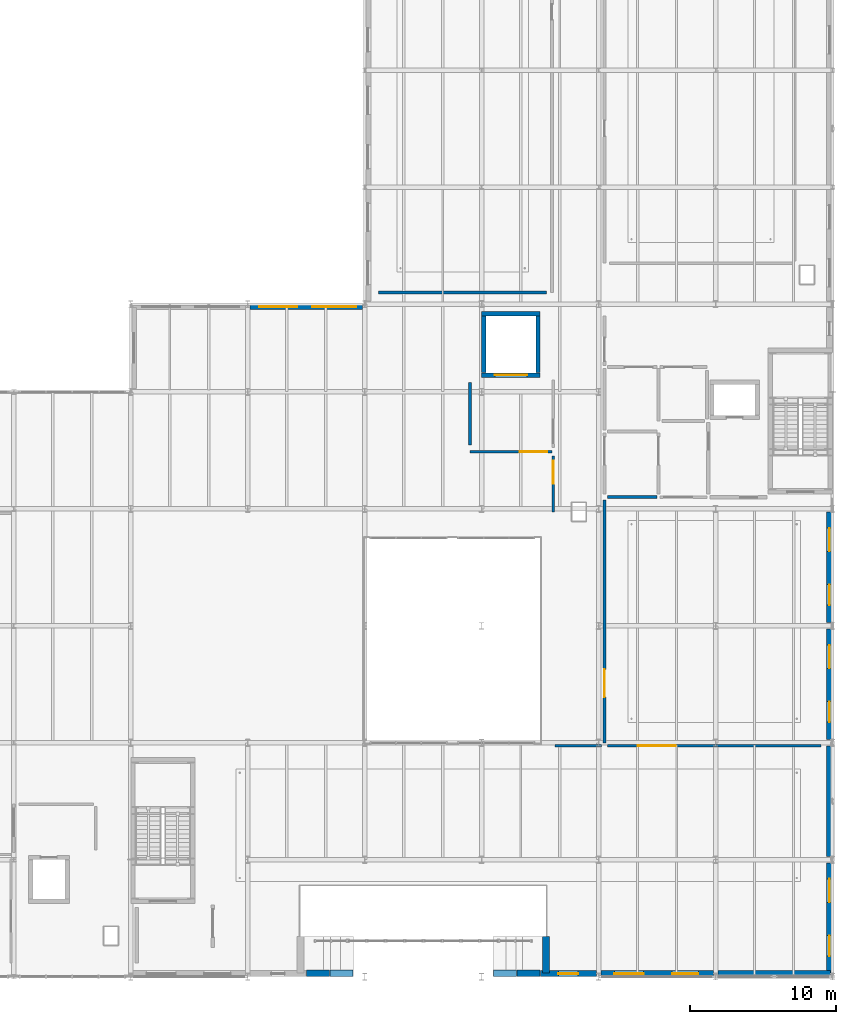
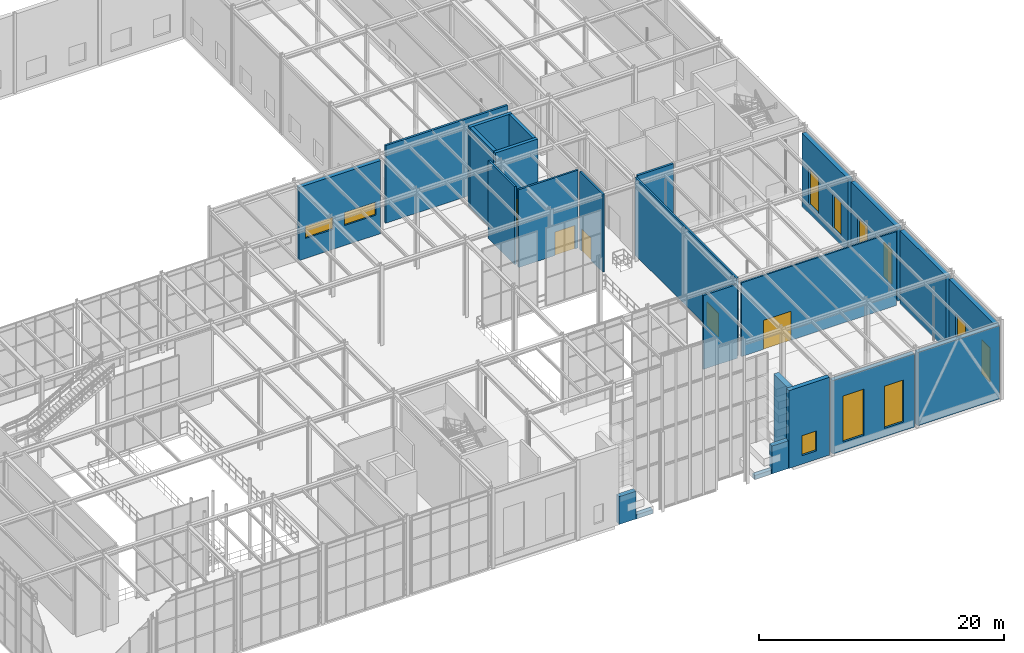
# One storey, part 96 of 138: 25 walls, 11 windows, 5 doors, 16 openings.
"""IFC4 building model written with IfcOpenShell, lengths in metres."""

from ifc_helpers import new_model, si_unit, direction, frame, frame_2d, origin, place, context, subcontext, project, spatial, rectangle, extrude, material, layer, layer_set, type_object, element, fill, save


model = new_model("IFC4")

# Units and contexts
model_context = context("Model", 3, precision=1e-05, world=origin(), true_north=direction((0.0, 1.0)))
body_context = subcontext(model_context, "Body", "Model", "MODEL_VIEW")
ifc_project = project(units=[si_unit("LENGTHUNIT", "METRE"), si_unit("AREAUNIT", "SQUARE_METRE"), si_unit("VOLUMEUNIT", "CUBIC_METRE"), si_unit("PLANEANGLEUNIT", "RADIAN"), si_unit("MASSUNIT", "GRAM", prefix="KILO")], contexts=[model_context])

# Site, building, storey
site_placement = place(None, origin())
site = spatial("IfcSite", under=ifc_project, at=site_placement, CompositionType="ELEMENT")
building_placement = place(site_placement, origin())
building = spatial("IfcBuilding", under=site, at=building_placement, Name="Sundkrona Museum", CompositionType="ELEMENT")
storey_placement = place(building_placement, frame((0.0, 0.0, 9.60009765625)))
storey = spatial("IfcBuildingStorey", under=building, at=storey_placement, Name="L02", CompositionType="ELEMENT", Elevation=9.60009765625)

# Wall, opening, door
ifc_material_1 = material(Name="Concrete C40/50", Category="concrete")
ifc_layer_1 = layer(ifc_material_1, 0.300048828125)
ifc_layer_set_1 = layer_set([ifc_layer_1], Name="Concrete C40/50")
wall_type_1 = type_object("IfcWallType", Name="W-CORE-300", PredefinedType="SHEAR", material=ifc_layer_set_1)
wall_1_placement = place(storey_placement, frame((144.0, 41.14990234375, 0.0), z_axis=(0.0, 0.0, 1.0), x_axis=(1.0, 0.0, 0.0)))
wall_1 = element("IfcWall", 1, at=wall_1_placement, inside=storey, type_object=wall_type_1, Name="L02 GL-1 Lift Shaft Wall South", PredefinedType="SHEAR", context=body_context, shape_type="SweptSolid", body=[
    extrude(rectangle(XDim=4.0, YDim=0.300048828125, at=frame_2d((2.0, 0.0))), origin(), (0.0, 0.0, 1.0), 8.0),
])
opening_1_placement = place(wall_1_placement, frame((0.89990234375, 0.0, 0.0)))
opening_1 = element("IfcOpeningElement", 2, at=opening_1_placement, cuts=wall_1, Name="Opening LD-GL", PredefinedType="OPENING", context=body_context, shape_type="SweptSolid", body=[
    extrude(rectangle(XDim=2.199951171875, YDim=2.699951171875, at=frame_2d((1.10009765625, 1.35009765625))), frame((0.0, 0.159912109375, 0.0), z_axis=(0.0, -1.0, 0.0), x_axis=(1.0, 0.0, 0.0)), (0.0, 0.0, 1.0), 0.320068359375),
])
ifc_material_2 = material(Name="Heavy Stainless Steel Goods Lift Door", Category="steel")
door_type_1 = type_object("IfcDoorType", Name="LD-GL", OperationType="DOUBLE_DOOR_SLIDING", PredefinedType="DOOR", material=ifc_material_2)
door_1_placement = place(opening_1_placement, origin())
door_1 = element("IfcDoor", 3, at=door_1_placement, inside=storey, type_object=door_type_1, Name="L02 Goods Lift Landing Door DR-LIFT-GL-1-L02", OperationType="DOUBLE_DOOR_SLIDING", OverallHeight=2.699951171875, OverallWidth=2.199951171875, PredefinedType="DOOR", context=body_context, shape_type="SweptSolid", body=[
    extrude(rectangle(XDim=2.199951171875, YDim=2.699951171875, at=frame_2d((1.10009765625, 1.35009765625))), frame((0.0, 0.02490234375, 0.0), z_axis=(0.0, -1.0, 0.0), x_axis=(1.0, 0.0, 0.0)), (0.0, 0.0, 1.0), 0.050048828125),
])
fill(opening_1, door_1)

# Walls
wall_2_placement = place(storey_placement, frame((144.0, 45.35009765625, 0.0), z_axis=(0.0, 0.0, 1.0), x_axis=(1.0, 0.0, 0.0)))
element("IfcWall", 4, at=wall_2_placement, inside=storey, type_object=wall_type_1, Name="L02 GL-1 Lift Shaft Wall North", PredefinedType="SHEAR", context=body_context, shape_type="SweptSolid", body=[
    extrude(rectangle(XDim=4.0, YDim=0.300048828125, at=frame_2d((2.0, 0.0))), origin(), (0.0, 0.0, 1.0), 8.0),
])
for number, where, z_axis, x_axis, name in (
    (5, (144.14990234375, 41.31005859375, 0.0), (0.0, 0.0, 1.0), (0.0, 1.0, 0.0), "L02 GL-1 Lift Shaft Wall West"),
    (6, (147.85009765625, 41.31005859375, 0.0), (0.0, 0.0, 1.0), (0.0, 1.0, 0.0), "L02 GL-1 Lift Shaft Wall East"),
):
    element("IfcWall", number, at=place(storey_placement, frame(where, z_axis=z_axis, x_axis=x_axis)), inside=storey, type_object=wall_type_1, Name=name, PredefinedType="SHEAR", context=body_context, shape_type="SweptSolid", body=[
        extrude(rectangle(XDim=3.8798828125, YDim=0.300048828125, at=frame_2d((1.93994140625, 0.0))), origin(), (0.0, 0.0, 1.0), 8.0),
    ])
ifc_material_3 = material(Name="Scanian Polychrome Clay Brickwork 420 mm", Category="masonry")
ifc_layer_2 = layer(ifc_material_3, 0.419921875)
ifc_layer_set_2 = layer_set([ifc_layer_2], Name="Scanian Polychrome Clay Brickwork 420 mm")
wall_type_2 = type_object("IfcWallType", Name="W-EX-420", PredefinedType="SOLIDWALL", material=ifc_layer_set_2)
wall_3_placement = place(storey_placement, frame((133.590087890625, 0.239990234375, 0.0), z_axis=(0.0, 0.0, 1.0), x_axis=(-1.0, 0.0, 0.0)))
element("IfcWall", 7, at=wall_3_placement, inside=storey, type_object=wall_type_2, Name="South Cube Oculus Mid-Lower Spandrel 01", PredefinedType="SOLIDWALL", context=body_context, shape_type="SweptSolid", body=[
    extrude(rectangle(XDim=1.580078125, YDim=0.419921875, at=frame_2d((0.7900390625, 0.0))), origin(), (0.0, 0.0, 1.0), 2.77197265625),
])
for number, where, z_axis, x_axis, name in (
    (8, (135.18994140625, 0.239990234375, 0.0), (0.0, 0.0, 1.0), (-1.0, 0.0, 0.0), "South Cube Oculus Mid-Lower Spandrel 02"),
    (9, (146.389892578125, 0.239990234375, 0.0), (0.0, 0.0, 1.0), (-1.0, 0.0, 0.0), "South Cube Oculus Mid-Lower Spandrel 09"),
):
    element("IfcWall", number, at=place(storey_placement, frame(where, z_axis=z_axis, x_axis=x_axis)), inside=storey, type_object=wall_type_2, Name=name, PredefinedType="SOLIDWALL", context=body_context, shape_type="SweptSolid", body=[
        extrude(rectangle(XDim=1.579833984375, YDim=0.419921875, at=frame_2d((0.7900390625, 0.0))), origin(), (0.0, 0.0, 1.0), 0.39892578125),
    ])
wall_4_placement = place(storey_placement, frame((147.989990234375, 0.239990234375, 0.0), z_axis=(0.0, 0.0, 1.0), x_axis=(-1.0, 0.0, 0.0)))
element("IfcWall", 10, at=wall_4_placement, inside=storey, type_object=wall_type_2, Name="South Cube Oculus Mid-Lower Spandrel 10", PredefinedType="SOLIDWALL", context=body_context, shape_type="SweptSolid", body=[
    extrude(rectangle(XDim=1.580078125, YDim=0.419921875, at=frame_2d((0.7900390625, 0.0))), origin(), (0.0, 0.0, 1.0), 2.77197265625),
])

# Wall, openings, windows
wall_5_placement = place(storey_placement, frame((159.847900390625, 0.2099609375, 0.0), z_axis=(0.0, 0.0, 1.0), x_axis=(-1.0, 0.0, 0.0)))
wall_5 = element("IfcWall", 11, at=wall_5_placement, inside=storey, type_object=wall_type_2, Name="L02 Facade Wall 0027", PredefinedType="SOLIDWALL", context=body_context, shape_type="SweptSolid", body=[
    extrude(rectangle(XDim=7.69580078125, YDim=0.419921875, at=frame_2d((3.847900390625, 0.0))), origin(), (0.0, 0.0, 1.0), 7.304931640625),
])
opening_2_placement = place(wall_5_placement, frame((1.02392578125, 0.0, 0.85009765625)))
opening_2 = element("IfcOpeningElement", 12, at=opening_2_placement, cuts=wall_5, Name="Opening WN-LN-180x420", PredefinedType="OPENING", context=body_context, shape_type="SweptSolid", body=[
    extrude(rectangle(XDim=1.800048828125, YDim=4.199951171875, at=frame_2d((0.89990234375, 2.10009765625))), frame((0.0, 0.219970703125, 0.0), z_axis=(0.0, -1.0, 0.0), x_axis=(1.0, 0.0, 0.0)), (0.0, 0.0, 1.0), 0.43994140625),
])
opening_3_placement = place(wall_5_placement, frame((4.77197265625, 0.0, 0.85009765625)))
opening_3 = element("IfcOpeningElement", 13, at=opening_3_placement, cuts=wall_5, Name="Opening WN-LN-200x460", PredefinedType="OPENING", context=body_context, shape_type="SweptSolid", body=[
    extrude(rectangle(XDim=2.0, YDim=4.60009765625, at=frame_2d((1.0, 2.300048828125))), frame((0.0, 0.219970703125, 0.0), z_axis=(0.0, -1.0, 0.0), x_axis=(1.0, 0.0, 0.0)), (0.0, 0.0, 1.0), 0.43994140625),
])
ifc_material_4 = material(Name="Triple Low-E Argon Glazing in Bronze-Anodised Aluminium", Category="aluminium")
window_type_1 = type_object("IfcWindowType", Name="WN-LN-180x420", PartitioningType="DOUBLE_PANEL_VERTICAL", PredefinedType="WINDOW", material=ifc_material_4)
window_1_placement = place(opening_2_placement, origin())
window_1 = element("IfcWindow", 14, at=window_1_placement, inside=storey, type_object=window_type_1, Name="L02 Paleontology hall tall window 1800x4200 WIN-L02-0034", OverallHeight=4.199951171875, OverallWidth=1.800048828125, PartitioningType="DOUBLE_PANEL_VERTICAL", PredefinedType="WINDOW", context=body_context, shape_type="SweptSolid", body=[
    extrude(rectangle(XDim=1.800048828125, YDim=4.199951171875, at=frame_2d((0.89990234375, 2.10009765625))), frame((0.0, 0.030029296875, 0.0), z_axis=(0.0, -1.0, 0.0), x_axis=(1.0, 0.0, 0.0)), (0.0, 0.0, 1.0), 0.06005859375),
])
fill(opening_2, window_1)
window_type_2 = type_object("IfcWindowType", Name="WN-LN-200x460", PartitioningType="TRIPLE_PANEL_VERTICAL", PredefinedType="WINDOW", material=ifc_material_4)
window_2_placement = place(opening_3_placement, origin())
window_2 = element("IfcWindow", 15, at=window_2_placement, inside=storey, type_object=window_type_2, Name="L02 Monumental hall lancet window 2000x4600 WIN-L02-0035", OverallHeight=4.60009765625, OverallWidth=2.0, PartitioningType="TRIPLE_PANEL_VERTICAL", PredefinedType="WINDOW", context=body_context, shape_type="SweptSolid", body=[
    extrude(rectangle(XDim=2.0, YDim=4.60009765625, at=frame_2d((1.0, 2.300048828125))), frame((0.0, 0.030029296875, 0.0), z_axis=(0.0, -1.0, 0.0), x_axis=(1.0, 0.0, 0.0)), (0.0, 0.0, 1.0), 0.06005859375),
])
fill(opening_3, window_2)

# Wall
wall_6_placement = place(storey_placement, frame((167.847900390625, 0.2099609375, 0.0), z_axis=(0.0, 0.0, 1.0), x_axis=(-1.0, 0.0, 0.0)))
element("IfcWall", 16, at=wall_6_placement, inside=storey, type_object=wall_type_2, Name="L02 Facade Wall 0028", PredefinedType="SOLIDWALL", context=body_context, shape_type="SweptSolid", body=[
    extrude(rectangle(XDim=7.69580078125, YDim=0.419921875, at=frame_2d((3.847900390625, 0.0))), origin(), (0.0, 0.0, 1.0), 7.304931640625),
])

# Wall, opening, window
wall_7_placement = place(storey_placement, frame((151.847900390625, 0.2099609375, 0.0), z_axis=(0.0, 0.0, 1.0), x_axis=(-1.0, 0.0, 0.0)))
wall_7 = element("IfcWall", 17, at=wall_7_placement, inside=storey, type_object=wall_type_2, Name="L02 Facade Wall 0029", PredefinedType="SOLIDWALL", context=body_context, shape_type="SweptSolid", body=[
    extrude(rectangle(XDim=3.837890625, YDim=0.419921875, at=frame_2d((1.9189453125, 0.0))), origin(), (0.0, 0.0, 1.0), 7.760009765625),
])
opening_4_placement = place(wall_7_placement, frame((1.243896484375, 0.0, 0.85009765625)))
opening_4 = element("IfcOpeningElement", 18, at=opening_4_placement, cuts=wall_7, Name="Opening WN-OC-135x200", PredefinedType="OPENING", context=body_context, shape_type="SweptSolid", body=[
    extrude(rectangle(XDim=1.35009765625, YDim=2.0, at=frame_2d((0.675048828125, 1.0))), frame((0.0, 0.219970703125, 0.0), z_axis=(0.0, -1.0, 0.0), x_axis=(1.0, 0.0, 0.0)), (0.0, 0.0, 1.0), 0.43994140625),
])
window_type_3 = type_object("IfcWindowType", Name="WN-OC-135x200", PartitioningType="SINGLE_PANEL", PredefinedType="WINDOW", material=ifc_material_4)
window_3_placement = place(opening_4_placement, origin())
window_3 = element("IfcWindow", 19, at=window_3_placement, inside=storey, type_object=window_type_3, Name="L02 Oculus cheek-reveal side window 1350x2000 WIN-L02-0036", OverallHeight=2.0, OverallWidth=1.35009765625, PartitioningType="SINGLE_PANEL", PredefinedType="WINDOW", context=body_context, shape_type="SweptSolid", body=[
    extrude(rectangle(XDim=1.35009765625, YDim=2.0, at=frame_2d((0.675048828125, 1.0))), frame((0.0, 0.030029296875, 0.0), z_axis=(0.0, -1.0, 0.0), x_axis=(1.0, 0.0, 0.0)), (0.0, 0.0, 1.0), 0.06005859375),
])
fill(opening_4, window_3)

# Wall, openings, windows
wall_8_placement = place(storey_placement, frame((167.7900390625, 7.77294921875, 0.0), z_axis=(0.0, 0.0, 1.0), x_axis=(0.0, -1.0, 0.0)))
wall_8 = element("IfcWall", 20, at=wall_8_placement, inside=storey, type_object=wall_type_2, Name="L02 Facade Wall 0030", PredefinedType="SOLIDWALL", context=body_context, shape_type="SweptSolid", body=[
    extrude(rectangle(XDim=7.5458984375, YDim=0.419921875, at=frame_2d((3.77294921875, 0.0))), origin(), (0.0, 0.0, 1.0), 7.304931640625),
])
opening_5_placement = place(wall_8_placement, frame((1.08642578125, 0.0, 0.85009765625)))
opening_5 = element("IfcOpeningElement", 21, at=opening_5_placement, cuts=wall_8, Name="Opening WN-LN-160x360", PredefinedType="OPENING", context=body_context, shape_type="SweptSolid", body=[
    extrude(rectangle(XDim=1.60009765625, YDim=3.60009765625, at=frame_2d((0.800048828125, 1.800048828125))), frame((0.0, 0.219970703125, 0.0), z_axis=(0.0, -1.0, 0.0), x_axis=(1.0, 0.0, 0.0)), (0.0, 0.0, 1.0), 0.43994140625),
])
opening_6_placement = place(wall_8_placement, frame((4.95947265625, 0.0, 0.85009765625)))
opening_6 = element("IfcOpeningElement", 22, at=opening_6_placement, cuts=wall_8, Name="Opening WN-LN-140x340", PredefinedType="OPENING", context=body_context, shape_type="SweptSolid", body=[
    extrude(rectangle(XDim=1.39990234375, YDim=3.39990234375, at=frame_2d((0.699951171875, 1.699951171875))), frame((0.0, 0.219970703125, 0.0), z_axis=(0.0, -1.0, 0.0), x_axis=(1.0, 0.0, 0.0)), (0.0, 0.0, 1.0), 0.43994140625),
])
window_type_4 = type_object("IfcWindowType", Name="WN-LN-140x340", PartitioningType="SINGLE_PANEL", PredefinedType="WINDOW", material=ifc_material_4)
window_4_placement = place(opening_6_placement, origin())
window_4 = element("IfcWindow", 23, at=window_4_placement, inside=storey, type_object=window_type_4, Name="L02 Tall brick-pier gallery window 1400x3400 WIN-L02-0038", OverallHeight=3.39990234375, OverallWidth=1.39990234375, PartitioningType="SINGLE_PANEL", PredefinedType="WINDOW", context=body_context, shape_type="SweptSolid", body=[
    extrude(rectangle(XDim=1.39990234375, YDim=3.39990234375, at=frame_2d((0.699951171875, 1.699951171875))), frame((0.0, 0.030029296875, 0.0), z_axis=(0.0, -1.0, 0.0), x_axis=(1.0, 0.0, 0.0)), (0.0, 0.0, 1.0), 0.06005859375),
])
fill(opening_6, window_4)
window_type_5 = type_object("IfcWindowType", Name="WN-LN-160x360", PartitioningType="DOUBLE_PANEL_VERTICAL", PredefinedType="WINDOW", material=ifc_material_4)
window_5_placement = place(opening_5_placement, origin())
window_5 = element("IfcWindow", 24, at=window_5_placement, inside=storey, type_object=window_type_5, Name="L02 Monumental double-height lancet window 1600x3600 WIN-L02-0037", OverallHeight=3.60009765625, OverallWidth=1.60009765625, PartitioningType="DOUBLE_PANEL_VERTICAL", PredefinedType="WINDOW", context=body_context, shape_type="SweptSolid", body=[
    extrude(rectangle(XDim=1.60009765625, YDim=3.60009765625, at=frame_2d((0.800048828125, 1.800048828125))), frame((0.0, 0.030029296875, 0.0), z_axis=(0.0, -1.0, 0.0), x_axis=(1.0, 0.0, 0.0)), (0.0, 0.0, 1.0), 0.06005859375),
])
fill(opening_5, window_5)

# Wall
wall_9_placement = place(storey_placement, frame((167.7900390625, 15.77294921875, 0.0), z_axis=(0.0, 0.0, 1.0), x_axis=(0.0, -1.0, 0.0)))
element("IfcWall", 25, at=wall_9_placement, inside=storey, type_object=wall_type_2, Name="L02 Facade Wall 0031", PredefinedType="SOLIDWALL", context=body_context, shape_type="SweptSolid", body=[
    extrude(rectangle(XDim=7.5458984375, YDim=0.419921875, at=frame_2d((3.77294921875, 0.0))), origin(), (0.0, 0.0, 1.0), 7.304931640625),
])

# Wall, openings, windows
wall_10_placement = place(storey_placement, frame((167.7900390625, 23.77294921875, 0.0), z_axis=(0.0, 0.0, 1.0), x_axis=(0.0, -1.0, 0.0)))
wall_10 = element("IfcWall", 26, at=wall_10_placement, inside=storey, type_object=wall_type_2, Name="L02 Facade Wall 0032", PredefinedType="SOLIDWALL", context=body_context, shape_type="SweptSolid", body=[
    extrude(rectangle(XDim=7.5458984375, YDim=0.419921875, at=frame_2d((3.77294921875, 0.0))), origin(), (0.0, 0.0, 1.0), 7.304931640625),
])
opening_7_placement = place(wall_10_placement, frame((1.08642578125, 0.0, 0.85009765625)))
opening_7 = element("IfcOpeningElement", 27, at=opening_7_placement, cuts=wall_10, Name="Opening WN-LN-160x360", PredefinedType="OPENING", context=body_context, shape_type="SweptSolid", body=[
    extrude(rectangle(XDim=1.60009765625, YDim=3.60009765625, at=frame_2d((0.800048828125, 1.800048828125))), frame((0.0, 0.219970703125, 0.0), z_axis=(0.0, -1.0, 0.0), x_axis=(1.0, 0.0, 0.0)), (0.0, 0.0, 1.0), 0.43994140625),
])
opening_8_placement = place(wall_10_placement, frame((4.95947265625, 0.0, 0.85009765625)))
opening_8 = element("IfcOpeningElement", 28, at=opening_8_placement, cuts=wall_10, Name="Opening WN-LN-140x340", PredefinedType="OPENING", context=body_context, shape_type="SweptSolid", body=[
    extrude(rectangle(XDim=1.39990234375, YDim=3.39990234375, at=frame_2d((0.699951171875, 1.699951171875))), frame((0.0, 0.219970703125, 0.0), z_axis=(0.0, -1.0, 0.0), x_axis=(1.0, 0.0, 0.0)), (0.0, 0.0, 1.0), 0.43994140625),
])
window_6_placement = place(opening_8_placement, origin())
window_6 = element("IfcWindow", 29, at=window_6_placement, inside=storey, type_object=window_type_4, Name="L02 Tall brick-pier gallery window 1400x3400 WIN-L02-0040", OverallHeight=3.39990234375, OverallWidth=1.39990234375, PartitioningType="SINGLE_PANEL", PredefinedType="WINDOW", context=body_context, shape_type="SweptSolid", body=[
    extrude(rectangle(XDim=1.39990234375, YDim=3.39990234375, at=frame_2d((0.699951171875, 1.699951171875))), frame((0.0, 0.030029296875, 0.0), z_axis=(0.0, -1.0, 0.0), x_axis=(1.0, 0.0, 0.0)), (0.0, 0.0, 1.0), 0.06005859375),
])
fill(opening_8, window_6)
window_7_placement = place(opening_7_placement, origin())
window_7 = element("IfcWindow", 30, at=window_7_placement, inside=storey, type_object=window_type_5, Name="L02 Monumental double-height lancet window 1600x3600 WIN-L02-0039", OverallHeight=3.60009765625, OverallWidth=1.60009765625, PartitioningType="DOUBLE_PANEL_VERTICAL", PredefinedType="WINDOW", context=body_context, shape_type="SweptSolid", body=[
    extrude(rectangle(XDim=1.60009765625, YDim=3.60009765625, at=frame_2d((0.800048828125, 1.800048828125))), frame((0.0, 0.030029296875, 0.0), z_axis=(0.0, -1.0, 0.0), x_axis=(1.0, 0.0, 0.0)), (0.0, 0.0, 1.0), 0.06005859375),
])
fill(opening_7, window_7)

wall_11_placement = place(storey_placement, frame((167.7900390625, 31.77294921875, 0.0), z_axis=(0.0, 0.0, 1.0), x_axis=(0.0, -1.0, 0.0)))
wall_11 = element("IfcWall", 31, at=wall_11_placement, inside=storey, type_object=wall_type_2, Name="L02 Facade Wall 0033", PredefinedType="SOLIDWALL", context=body_context, shape_type="SweptSolid", body=[
    extrude(rectangle(XDim=7.5458984375, YDim=0.419921875, at=frame_2d((3.77294921875, 0.0))), origin(), (0.0, 0.0, 1.0), 7.304931640625),
])
opening_9_placement = place(wall_11_placement, frame((1.08642578125, 0.0, 0.85009765625)))
opening_9 = element("IfcOpeningElement", 32, at=opening_9_placement, cuts=wall_11, Name="Opening WN-LN-160x360", PredefinedType="OPENING", context=body_context, shape_type="SweptSolid", body=[
    extrude(rectangle(XDim=1.60009765625, YDim=3.60009765625, at=frame_2d((0.800048828125, 1.800048828125))), frame((0.0, 0.219970703125, 0.0), z_axis=(0.0, -1.0, 0.0), x_axis=(1.0, 0.0, 0.0)), (0.0, 0.0, 1.0), 0.43994140625),
])
opening_10_placement = place(wall_11_placement, frame((4.95947265625, 0.0, 0.85009765625)))
opening_10 = element("IfcOpeningElement", 33, at=opening_10_placement, cuts=wall_11, Name="Opening WN-LN-140x340", PredefinedType="OPENING", context=body_context, shape_type="SweptSolid", body=[
    extrude(rectangle(XDim=1.39990234375, YDim=3.39990234375, at=frame_2d((0.699951171875, 1.699951171875))), frame((0.0, 0.219970703125, 0.0), z_axis=(0.0, -1.0, 0.0), x_axis=(1.0, 0.0, 0.0)), (0.0, 0.0, 1.0), 0.43994140625),
])
window_8_placement = place(opening_10_placement, origin())
window_8 = element("IfcWindow", 34, at=window_8_placement, inside=storey, type_object=window_type_4, Name="L02 Tall brick-pier gallery window 1400x3400 WIN-L02-0042", OverallHeight=3.39990234375, OverallWidth=1.39990234375, PartitioningType="SINGLE_PANEL", PredefinedType="WINDOW", context=body_context, shape_type="SweptSolid", body=[
    extrude(rectangle(XDim=1.39990234375, YDim=3.39990234375, at=frame_2d((0.699951171875, 1.699951171875))), frame((0.0, 0.030029296875, 0.0), z_axis=(0.0, -1.0, 0.0), x_axis=(1.0, 0.0, 0.0)), (0.0, 0.0, 1.0), 0.06005859375),
])
fill(opening_10, window_8)
window_9_placement = place(opening_9_placement, origin())
window_9 = element("IfcWindow", 35, at=window_9_placement, inside=storey, type_object=window_type_5, Name="L02 Monumental double-height lancet window 1600x3600 WIN-L02-0041", OverallHeight=3.60009765625, OverallWidth=1.60009765625, PartitioningType="DOUBLE_PANEL_VERTICAL", PredefinedType="WINDOW", context=body_context, shape_type="SweptSolid", body=[
    extrude(rectangle(XDim=1.60009765625, YDim=3.60009765625, at=frame_2d((0.800048828125, 1.800048828125))), frame((0.0, 0.030029296875, 0.0), z_axis=(0.0, -1.0, 0.0), x_axis=(1.0, 0.0, 0.0)), (0.0, 0.0, 1.0), 0.06005859375),
])
fill(opening_9, window_9)

# Wall
ifc_material_5 = material(Name="Danian Limestone Ashlar Masonry 480 mm", Category="masonry")
ifc_layer_3 = layer(ifc_material_5, 0.47998046875)
ifc_layer_set_3 = layer_set([ifc_layer_3], Name="Danian Limestone Ashlar Masonry 480 mm")
wall_type_3 = type_object("IfcWallType", Name="W-LIM-480", PredefinedType="SOLIDWALL", material=ifc_layer_set_3)
wall_12_placement = place(storey_placement, frame((148.39990234375, 0.239990234375, 0.0), z_axis=(0.0, 0.0, 1.0), x_axis=(0.0, 1.0, 0.0)))
element("IfcWall", 36, at=wall_12_placement, inside=storey, type_object=wall_type_3, Name="L02 Oculus Deep Reveal East Wall", PredefinedType="SOLIDWALL", context=body_context, shape_type="SweptSolid", body=[
    extrude(rectangle(XDim=2.510009765625, YDim=0.47998046875, at=frame_2d((1.2548828125, 0.0))), origin(), (0.0, 0.0, 1.0), 7.719970703125),
])

# Wall, opening, door
ifc_material_6 = material(Name="Acoustic Gypsum Partition Board 150 mm", Category="other")
ifc_layer_4 = layer(ifc_material_6, 0.14990234375)
ifc_layer_set_4 = layer_set([ifc_layer_4], Name="Acoustic Gypsum Partition Board 150 mm")
wall_type_4 = type_object("IfcWallType", Name="W-PT-150", PredefinedType="PARTITIONING", material=ifc_layer_set_4)
wall_13_placement = place(storey_placement, frame((152.60009765625, 15.800048828125, 0.0), z_axis=(0.0, 0.0, 1.0), x_axis=(1.0, 0.0, 0.0)))
wall_13 = element("IfcWall", 37, at=wall_13_placement, inside=storey, type_object=wall_type_4, Name="L02 Partition Paleontology Exhibition Hall / Scandinavian Megafauna Gallery", PredefinedType="PARTITIONING", context=body_context, shape_type="SweptSolid", body=[
    extrude(rectangle(XDim=14.599853515625, YDim=0.14990234375, at=frame_2d((7.2998046875, 0.0))), origin(), (0.0, 0.0, 1.0), 7.369873046875),
])
opening_11_placement = place(wall_13_placement, frame((2.081298828125, 0.0, 0.0)))
opening_11 = element("IfcOpeningElement", 38, at=opening_11_placement, cuts=wall_13, Name="Opening D-GAL-260", PredefinedType="OPENING", context=body_context, shape_type="SweptSolid", body=[
    extrude(rectangle(XDim=2.60009765625, YDim=2.89990234375, at=frame_2d((1.300048828125, 1.449951171875))), frame((0.0, 0.0849609375, 0.0), z_axis=(0.0, -1.0, 0.0), x_axis=(1.0, 0.0, 0.0)), (0.0, 0.0, 1.0), 0.169921875),
])
ifc_material_7 = material(Name="European Oak and Bronze Portal", Category="other")
door_type_2 = type_object("IfcDoorType", Name="D-GAL-260", OperationType="DOUBLE_DOOR_DOUBLE_SWING", PredefinedType="DOOR", material=ifc_material_7)
door_2_placement = place(opening_11_placement, origin())
door_2 = element("IfcDoor", 39, at=door_2_placement, inside=storey, type_object=door_type_2, Name="L02 Interior Door DR-ADJ-L02-0143", OperationType="DOUBLE_DOOR_DOUBLE_SWING", OverallHeight=2.89990234375, OverallWidth=2.60009765625, PredefinedType="DOOR", context=body_context, shape_type="SweptSolid", body=[
    extrude(rectangle(XDim=2.60009765625, YDim=2.89990234375, at=frame_2d((1.300048828125, 1.449951171875))), frame((0.0, 0.02490234375, 0.0), z_axis=(0.0, -1.0, 0.0), x_axis=(1.0, 0.0, 0.0)), (0.0, 0.0, 1.0), 0.050048828125),
])
fill(opening_11, door_2)

ifc_material_8 = material(Name="Fire-rated Gypsum Partition Board 175 mm", Category="other")
ifc_layer_5 = layer(ifc_material_8, 0.175048828125)
ifc_layer_set_5 = layer_set([ifc_layer_5], Name="Fire-rated Gypsum Partition Board 175 mm")
wall_type_5 = type_object("IfcWallType", Name="W-PT-175", PredefinedType="PARTITIONING", material=ifc_layer_set_5)
wall_14_placement = place(storey_placement, frame((143.199951171875, 35.89990234375, 0.0), z_axis=(0.0, 0.0, 1.0), x_axis=(1.0, 0.0, 0.0)))
wall_14 = element("IfcWall", 40, at=wall_14_placement, inside=storey, type_object=wall_type_5, Name="L02 Partition Goods Lift Lobby / Atrium Upper Promenade", PredefinedType="PARTITIONING", context=body_context, shape_type="SweptSolid", body=[
    extrude(rectangle(XDim=5.60009765625, YDim=0.175048828125, at=frame_2d((2.800048828125, 0.0))), origin(), (0.0, 0.0, 1.0), 7.760009765625),
])
opening_12_placement = place(wall_14_placement, frame((3.39990234375, 0.0, 0.0)))
opening_12 = element("IfcOpeningElement", 41, at=opening_12_placement, cuts=wall_14, Name="Opening D-AUD-190", PredefinedType="OPENING", context=body_context, shape_type="SweptSolid", body=[
    extrude(rectangle(XDim=1.89990234375, YDim=2.35009765625, at=frame_2d((0.949951171875, 1.175048828125))), frame((0.0, 0.097412109375, 0.0), z_axis=(0.0, -1.0, 0.0), x_axis=(1.0, 0.0, 0.0)), (0.0, 0.0, 1.0), 0.195068359375),
])
ifc_material_9 = material(Name="Acoustic Oak Fire Door", Category="other")
door_type_3 = type_object("IfcDoorType", Name="D-AUD-190", OperationType="DOUBLE_DOOR_SINGLE_SWING", PredefinedType="DOOR", material=ifc_material_9)
door_3_placement = place(opening_12_placement, origin())
door_3 = element("IfcDoor", 42, at=door_3_placement, inside=storey, type_object=door_type_3, Name="L02 Interior Door DR-ADJ-L02-0114", OperationType="DOUBLE_DOOR_SINGLE_SWING", OverallHeight=2.35009765625, OverallWidth=1.89990234375, PredefinedType="DOOR", context=body_context, shape_type="SweptSolid", body=[
    extrude(rectangle(XDim=1.89990234375, YDim=2.35009765625, at=frame_2d((0.949951171875, 1.175048828125))), frame((0.0, 0.02490234375, 0.0), z_axis=(0.0, -1.0, 0.0), x_axis=(1.0, 0.0, 0.0)), (0.0, 0.0, 1.0), 0.050048828125),
])
fill(opening_12, door_3)

wall_15_placement = place(storey_placement, frame((148.89990234375, 31.800048828125, 0.0), z_axis=(0.0, 0.0, 1.0), x_axis=(0.0, 1.0, 0.0)))
wall_15 = element("IfcWall", 43, at=wall_15_placement, inside=storey, type_object=wall_type_5, Name="L02 Partition Atrium Upper Promenade / East Conservation Corridor", PredefinedType="PARTITIONING", context=body_context, shape_type="SweptSolid", body=[
    extrude(rectangle(XDim=3.800048828125, YDim=0.175048828125, at=frame_2d((1.89990234375, 0.0))), origin(), (0.0, 0.0, 1.0), 7.760009765625),
])
opening_13_placement = place(wall_15_placement, frame((1.89990234375, 0.0, 0.0)))
opening_13 = element("IfcOpeningElement", 44, at=opening_13_placement, cuts=wall_15, Name="Opening D-CMP-160", PredefinedType="OPENING", context=body_context, shape_type="SweptSolid", body=[
    extrude(rectangle(XDim=1.60009765625, YDim=2.25, at=frame_2d((0.800048828125, 1.125))), frame((0.0, 0.097412109375, 0.0), z_axis=(0.0, -1.0, 0.0), x_axis=(1.0, 0.0, 0.0)), (0.0, 0.0, 1.0), 0.195068359375),
])
ifc_material_10 = material(Name="Glazed Steel Fire Screen Door", Category="steel")
door_type_4 = type_object("IfcDoorType", Name="D-CMP-160", OperationType="DOUBLE_DOOR_SINGLE_SWING", PredefinedType="DOOR", material=ifc_material_10)
door_4_placement = place(opening_13_placement, origin())
door_4 = element("IfcDoor", 45, at=door_4_placement, inside=storey, type_object=door_type_4, Name="L02 Interior Door DR-ADJ-L02-0129", OperationType="DOUBLE_DOOR_SINGLE_SWING", OverallHeight=2.25, OverallWidth=1.60009765625, PredefinedType="DOOR", context=body_context, shape_type="SweptSolid", body=[
    extrude(rectangle(XDim=1.60009765625, YDim=2.25, at=frame_2d((0.800048828125, 1.125))), frame((0.0, 0.02490234375, 0.0), z_axis=(0.0, -1.0, 0.0), x_axis=(1.0, 0.0, 0.0)), (0.0, 0.0, 1.0), 0.050048828125),
])
fill(opening_13, door_4)

# Wall
wall_16_placement = place(storey_placement, frame((149.0, 15.800048828125, 0.0), z_axis=(0.0, 0.0, 1.0), x_axis=(1.0, 0.0, 0.0)))
element("IfcWall", 46, at=wall_16_placement, inside=storey, type_object=wall_type_5, Name="L02 Partition East Conservation Corridor / Paleontology Exhibition Hall", PredefinedType="PARTITIONING", context=body_context, shape_type="SweptSolid", body=[
    extrude(rectangle(XDim=3.199951171875, YDim=0.175048828125, at=frame_2d((1.60009765625, 0.0))), origin(), (0.0, 0.0, 1.0), 7.369873046875),
])

# Wall, opening, door
wall_17_placement = place(storey_placement, frame((152.39990234375, 16.0, 0.0), z_axis=(0.0, 0.0, 1.0), x_axis=(0.0, 1.0, 0.0)))
wall_17 = element("IfcWall", 47, at=wall_17_placement, inside=storey, type_object=wall_type_5, Name="L02 Partition East Conservation Corridor / Scandinavian Megafauna Gallery", PredefinedType="PARTITIONING", context=body_context, shape_type="SweptSolid", body=[
    extrude(rectangle(XDim=16.60009765625, YDim=0.175048828125, at=frame_2d((8.300048828125, 0.0))), origin(), (0.0, 0.0, 1.0), 7.760009765625),
])
opening_14_placement = place(wall_17_placement, frame((3.1201171875, 0.0, 0.0)))
opening_14 = element("IfcOpeningElement", 48, at=opening_14_placement, cuts=wall_17, Name="Opening D-AUD-190", PredefinedType="OPENING", context=body_context, shape_type="SweptSolid", body=[
    extrude(rectangle(XDim=1.89990234375, YDim=2.35009765625, at=frame_2d((0.949951171875, 1.175048828125))), frame((0.0, 0.097412109375, 0.0), z_axis=(0.0, -1.0, 0.0), x_axis=(1.0, 0.0, 0.0)), (0.0, 0.0, 1.0), 0.195068359375),
])
door_5_placement = place(opening_14_placement, origin())
door_5 = element("IfcDoor", 49, at=door_5_placement, inside=storey, type_object=door_type_3, Name="L02 Interior Door DR-ADJ-L02-0131", OperationType="DOUBLE_DOOR_SINGLE_SWING", OverallHeight=2.35009765625, OverallWidth=1.89990234375, PredefinedType="DOOR", context=body_context, shape_type="SweptSolid", body=[
    extrude(rectangle(XDim=1.89990234375, YDim=2.35009765625, at=frame_2d((0.949951171875, 1.175048828125))), frame((0.0, 0.02490234375, 0.0), z_axis=(0.0, -1.0, 0.0), x_axis=(1.0, 0.0, 0.0)), (0.0, 0.0, 1.0), 0.050048828125),
])
fill(opening_14, door_5)

# Walls
wall_18_placement = place(storey_placement, frame((143.199951171875, 36.35009765625, 0.0), z_axis=(0.0, 0.0, 1.0), x_axis=(0.0, 1.0, 0.0)))
element("IfcWall", 50, at=wall_18_placement, inside=storey, type_object=wall_type_5, Name="L02 Goods Lift Lobby Enclosure Wall W", PredefinedType="PARTITIONING", context=body_context, shape_type="SweptSolid", body=[
    extrude(rectangle(XDim=4.2998046875, YDim=0.175048828125, at=frame_2d((2.14990234375, 0.0))), origin(), (0.0, 0.0, 1.0), 7.760009765625),
])
ifc_material_11 = material(Name="Moisture-resistant Tile Partition 200 mm", Category="other")
ifc_layer_6 = layer(ifc_material_11, 0.199951171875)
ifc_layer_set_6 = layer_set([ifc_layer_6], Name="Moisture-resistant Tile Partition 200 mm")
wall_type_6 = type_object("IfcWallType", Name="W-PT-200", PredefinedType="PARTITIONING", material=ifc_layer_set_6)
wall_19_placement = place(storey_placement, frame((152.60009765625, 32.800048828125, 0.0), z_axis=(0.0, 0.0, 1.0), x_axis=(1.0, 0.0, 0.0)))
element("IfcWall", 51, at=wall_19_placement, inside=storey, type_object=wall_type_6, Name="L02 Partition Male Toilet / Scandinavian Megafauna Gallery", PredefinedType="PARTITIONING", context=body_context, shape_type="SweptSolid", body=[
    extrude(rectangle(XDim=3.39990234375, YDim=0.199951171875, at=frame_2d((1.699951171875, 0.0))), origin(), (0.0, 0.0, 1.0), 7.760009765625),
])
wall_20_placement = place(storey_placement, frame((136.949951171875, 46.800048828125, 0.0), z_axis=(0.0, 0.0, 1.0), x_axis=(1.0, 0.0, 0.0)))
element("IfcWall", 52, at=wall_20_placement, inside=storey, type_object=wall_type_6, Name="L02 Specimen Preparation Laboratory Enclosure Wall S", PredefinedType="PARTITIONING", context=body_context, shape_type="SweptSolid", body=[
    extrude(rectangle(XDim=11.5, YDim=0.199951171875, at=frame_2d((5.75, 0.0))), origin(), (0.0, 0.0, 1.0), 7.739990234375),
])

# Wall, openings, windows
ifc_material_12 = material(Name="Vitrified Stoneware Mosaic Cladding 360 mm", Category="masonry")
ifc_layer_7 = layer(ifc_material_12, 0.360107421875)
ifc_layer_set_7 = layer_set([ifc_layer_7], Name="Vitrified Stoneware Mosaic Cladding 360 mm")
wall_type_7 = type_object("IfcWallType", Name="W-SP-360", PredefinedType="ELEMENTEDWALL", material=ifc_layer_set_7)
wall_21_placement = place(storey_placement, frame((128.152099609375, 45.820068359375, 0.0), z_axis=(0.0, 0.0, 1.0), x_axis=(1.0, 0.0, 0.0)))
wall_21 = element("IfcWall", 53, at=wall_21_placement, inside=storey, type_object=wall_type_7, Name="L02 Facade Wall 0036", PredefinedType="ELEMENTEDWALL", context=body_context, shape_type="SweptSolid", body=[
    extrude(rectangle(XDim=7.69580078125, YDim=0.360107421875, at=frame_2d((3.847900390625, 0.0))), origin(), (0.0, 0.0, 1.0), 7.284912109375),
])
opening_15_placement = place(wall_21_placement, frame((0.6240234375, 0.0, 2.0)))
opening_15 = element("IfcOpeningElement", 54, at=opening_15_placement, cuts=wall_21, Name="Opening WN-CL-260x120", PredefinedType="OPENING", context=body_context, shape_type="SweptSolid", body=[
    extrude(rectangle(XDim=2.60009765625, YDim=1.199951171875, at=frame_2d((1.300048828125, 0.60009765625))), frame((0.0, 0.18994140625, 0.0), z_axis=(0.0, -1.0, 0.0), x_axis=(1.0, 0.0, 0.0)), (0.0, 0.0, 1.0), 0.380126953125),
])
opening_16_placement = place(wall_21_placement, frame((4.27197265625, 0.0, 2.0)))
opening_16 = element("IfcOpeningElement", 55, at=opening_16_placement, cuts=wall_21, Name="Opening WN-CL-300x130", PredefinedType="OPENING", context=body_context, shape_type="SweptSolid", body=[
    extrude(rectangle(XDim=3.0, YDim=1.300048828125, at=frame_2d((1.5, 0.64990234375))), frame((0.0, 0.18994140625, 0.0), z_axis=(0.0, -1.0, 0.0), x_axis=(1.0, 0.0, 0.0)), (0.0, 0.0, 1.0), 0.380126953125),
])
window_type_6 = type_object("IfcWindowType", Name="WN-CL-260x120", PartitioningType="DOUBLE_PANEL_HORIZONTAL", PredefinedType="WINDOW", material=ifc_material_4)
window_10_placement = place(opening_15_placement, origin())
window_10 = element("IfcWindow", 56, at=window_10_placement, inside=storey, type_object=window_type_6, Name="L02 High-level gallery clerestory ribbon window 2600x1200 WIN-L02-0046", OverallHeight=1.199951171875, OverallWidth=2.60009765625, PartitioningType="DOUBLE_PANEL_HORIZONTAL", PredefinedType="WINDOW", context=body_context, shape_type="SweptSolid", body=[
    extrude(rectangle(XDim=2.60009765625, YDim=1.199951171875, at=frame_2d((1.300048828125, 0.60009765625))), frame((0.0, 0.030029296875, 0.0), z_axis=(0.0, -1.0, 0.0), x_axis=(1.0, 0.0, 0.0)), (0.0, 0.0, 1.0), 0.06005859375),
])
fill(opening_15, window_10)
window_type_7 = type_object("IfcWindowType", Name="WN-CL-300x130", PartitioningType="TRIPLE_PANEL_HORIZONTAL", PredefinedType="WINDOW", material=ifc_material_4)
window_11_placement = place(opening_16_placement, origin())
window_11 = element("IfcWindow", 57, at=window_11_placement, inside=storey, type_object=window_type_7, Name="L02 Exhibition clerestory window 3000x1300 WIN-L02-0047", OverallHeight=1.300048828125, OverallWidth=3.0, PartitioningType="TRIPLE_PANEL_HORIZONTAL", PredefinedType="WINDOW", context=body_context, shape_type="SweptSolid", body=[
    extrude(rectangle(XDim=3.0, YDim=1.300048828125, at=frame_2d((1.5, 0.64990234375))), frame((0.0, 0.030029296875, 0.0), z_axis=(0.0, -1.0, 0.0), x_axis=(1.0, 0.0, 0.0)), (0.0, 0.0, 1.0), 0.06005859375),
])
fill(opening_16, window_11)

save(model, "model.ifc")
